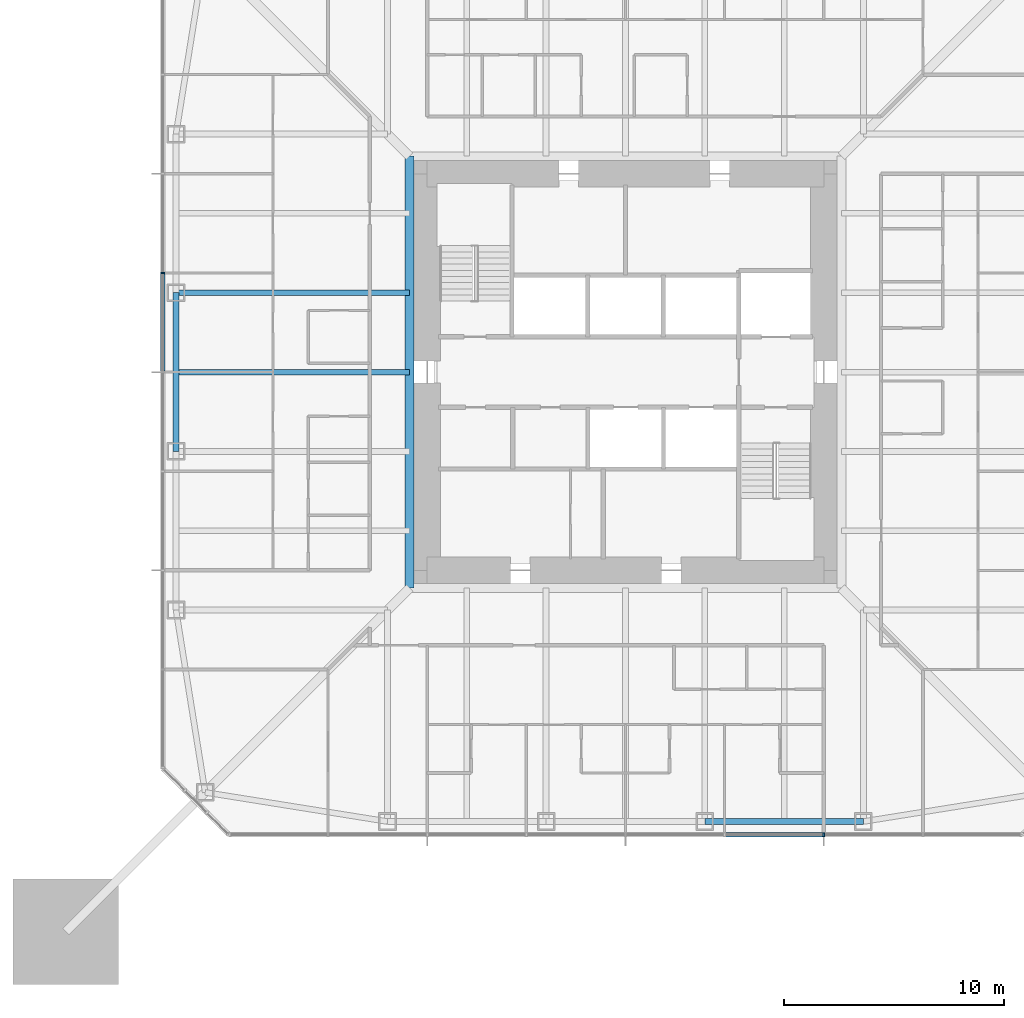
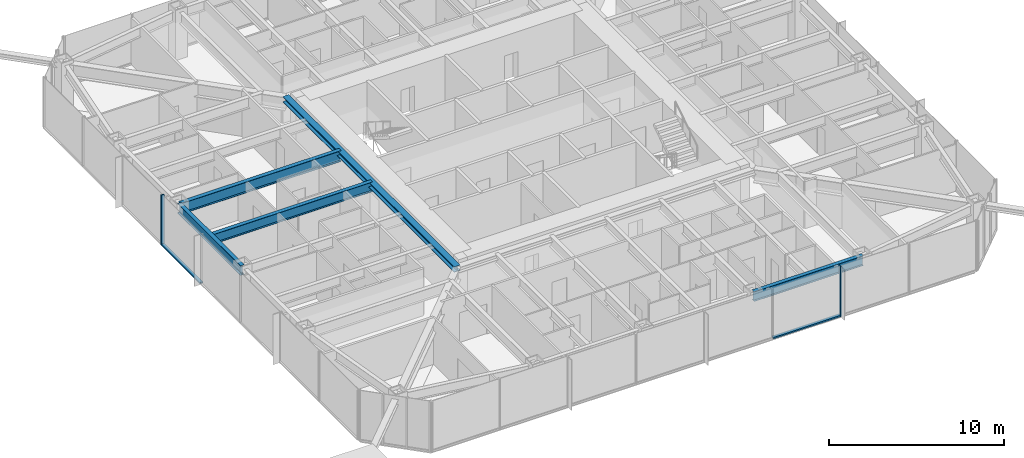
# One storey, part 4 of 25: 5 beams, 4 members, 2 elements without a shape of their own.
"""IFC4 building model written with IfcOpenShell, lengths in metres."""

from ifc_helpers import new_model, si_unit, direction, frame, origin, origin_2d, place, context, subcontext, project, spatial, rectangle, i_section, extrude, material, material_profile, profile_set, type_object, element, aggregate, save


model = new_model("IFC4")

# Units and contexts
model_context = context("Model", 3, precision=1e-05, world=origin(), true_north=direction((0.0, 1.0)))
body_context = subcontext(model_context, "Body", "Model", "MODEL_VIEW")
ifc_project = project(units=[si_unit("LENGTHUNIT", "METRE"), si_unit("AREAUNIT", "SQUARE_METRE"), si_unit("VOLUMEUNIT", "CUBIC_METRE"), si_unit("PLANEANGLEUNIT", "RADIAN"), si_unit("MASSUNIT", "GRAM", prefix="KILO")], contexts=[model_context])

# Site, building, storey
site_placement = place(None, origin())
site = spatial("IfcSite", under=ifc_project, at=site_placement, CompositionType="ELEMENT")
building_placement = place(site_placement, origin())
building = spatial("IfcBuilding", under=site, at=building_placement, Name="Iwan Alto Co-Living Towers", CompositionType="ELEMENT")
storey_placement = place(building_placement, frame((0.0, 0.0, 87.5)))
storey = spatial("IfcBuildingStorey", under=building, at=storey_placement, Name="L23", CompositionType="ELEMENT", Elevation=87.5)

# Curtain wall, member
ifc_material_1 = material(Name="Bronze aluminium unitised frame", Category="aluminium")
curtain_wall_type = type_object("IfcCurtainWallType", Name="CURTAIN WALL CW-A", PredefinedType="NOTDEFINED", material=ifc_material_1)
curtain_wall_1_placement = place(storey_placement, origin())
curtain_wall_1 = element("IfcCurtainWall", 1, at=curtain_wall_1_placement, inside=storey, type_object=curtain_wall_type, Name="T1 curtain wall S L23", PredefinedType="NOTDEFINED")
ifc_material_2 = material(Name="Aluminium 6063-T6 bronze anodised", Category="aluminium")
ifc_material_profile_1 = material_profile(ifc_material_2, rectangle(XDim=0.199951171875, YDim=0.080078125, at=origin_2d()), Name="AL 80X200")
ifc_profile_set_1 = profile_set([ifc_material_profile_1], Name="Aluminium 6063-T6 bronze anodised")
member_type_1 = type_object("IfcMemberType", Name="CW-A MULLION 80X200", PredefinedType="MULLION", material=ifc_profile_set_1)
member_1_placement = place(storey_placement, frame((9.0, -21.0, 0.0), z_axis=(0.0, 0.0, 1.0), x_axis=(0.0, 1.0, 0.0)))
member_1 = element("IfcMember", 2, at=member_1_placement, type_object=member_type_1, Name="CW-A mullion 7", PredefinedType="MULLION", context=body_context, shape_type="SweptSolid", body=[
    extrude(rectangle(XDim=0.199951171875, YDim=0.080078125, at=origin_2d()), origin(), (0.0, 0.0, 1.0), 3.5),
])

curtain_wall_2_placement = place(storey_placement, origin())
curtain_wall_2 = element("IfcCurtainWall", 3, at=curtain_wall_2_placement, inside=storey, type_object=curtain_wall_type, Name="T1 curtain wall W L23", PredefinedType="NOTDEFINED")
member_2_placement = place(storey_placement, frame((-21.0, 4.5, 0.0), z_axis=(0.0, 0.0, 1.0), x_axis=(1.0, 0.0, 0.0)))
member_2 = element("IfcMember", 4, at=member_2_placement, type_object=member_type_1, Name="CW-A mullion 4", PredefinedType="MULLION", context=body_context, shape_type="SweptSolid", body=[
    extrude(rectangle(XDim=0.199951171875, YDim=0.080078125, at=origin_2d()), origin(), (0.0, 0.0, 1.0), 3.5),
])

# Member
ifc_material_3 = material(Name="Aluminium 6063-T6 bronze anodised", Category="aluminium")
ifc_material_profile_2 = material_profile(ifc_material_3, rectangle(XDim=0.199951171875, YDim=0.10009765625, at=origin_2d()), Name="AL 200X100")
ifc_profile_set_2 = profile_set([ifc_material_profile_2], Name="Aluminium 6063-T6 bronze anodised")
member_type_2 = type_object("IfcMemberType", Name="CW-A TRANSOM 200X100", PredefinedType="USERDEFINED", material=ifc_profile_set_2)
member_3_placement = place(storey_placement, frame((4.5400390625, -21.0, 0.050048828125), z_axis=(1.0, 0.0, 0.0), x_axis=(0.0, 1.0, 0.0)))
member_3 = element("IfcMember", 5, at=member_3_placement, type_object=member_type_2, Name="CW-A transom 6.1", ObjectType="TRANSOM", PredefinedType="USERDEFINED", context=body_context, shape_type="SweptSolid", body=[
    extrude(rectangle(XDim=0.199951171875, YDim=0.10009765625, at=origin_2d()), origin(), (0.0, 0.0, 1.0), 4.419921875),
])

aggregate(curtain_wall_1, [member_1, member_3])

member_4_placement = place(storey_placement, frame((-21.0, 4.4599609375, 0.050048828125), z_axis=(0.0, -1.0, 0.0), x_axis=(1.0, 0.0, 0.0)))
member_4 = element("IfcMember", 6, at=member_4_placement, type_object=member_type_2, Name="CW-A transom 4.1", ObjectType="TRANSOM", PredefinedType="USERDEFINED", context=body_context, shape_type="SweptSolid", body=[
    extrude(rectangle(XDim=0.199951171875, YDim=0.10009765625, at=origin_2d()), origin(), (0.0, 0.0, 1.0), 4.419921875),
])

aggregate(curtain_wall_2, [member_2, member_4])

# Beams
ifc_material_4 = material(Name="Steel ASTM A992 Gr 50", Category="steel")
ifc_material_profile_3 = material_profile(ifc_material_4, i_section(OverallWidth=0.398681640625, OverallDepth=0.385986328125, WebThickness=0.02099609375, FlangeThickness=0.033203125, at=origin_2d()), Name="W14X176")
ifc_profile_set_3 = profile_set([ifc_material_profile_3], Name="Steel ASTM A992 Gr 50")
beam_type_1 = type_object("IfcBeamType", Name="T1 CORE LEDGER BEAM W14X176", PredefinedType="BEAM", material=ifc_profile_set_3)
beam_1_placement = place(storey_placement, frame((-9.79931640625, 9.79931640625, 3.076904296875), z_axis=(0.0, -1.0, 0.0), x_axis=(1.0, 0.0, 0.0)))
element("IfcBeam", 7, at=beam_1_placement, inside=storey, type_object=beam_type_1, Name="T1 core ledger beam W L24", PredefinedType="BEAM", context=body_context, shape_type="SweptSolid", body=[
    extrude(i_section(OverallWidth=0.398681640625, OverallDepth=0.385986328125, WebThickness=0.02099609375, FlangeThickness=0.033203125, at=origin_2d()), origin(), (0.0, 0.0, 1.0), 19.5986328125),
])
ifc_material_5 = material(Name="Steel ASTM A992 Gr 50", Category="steel")
ifc_material_profile_4 = material_profile(ifc_material_5, i_section(OverallWidth=0.25390625, OverallDepth=0.683349609375, WebThickness=0.012451171875, FlangeThickness=0.018798828125, at=origin_2d()), Name="W27X94")
ifc_profile_set_4 = profile_set([ifc_material_profile_4], Name="Steel ASTM A992 Gr 50")
beam_type_2 = type_object("IfcBeamType", Name="T1 EDGE BEAM W27X94", PredefinedType="BEAM", material=ifc_profile_set_4)
beam_2_placement = place(storey_placement, frame((3.60009765625, -20.39990234375, 2.928466796875), z_axis=(1.0, 0.0, 0.0), x_axis=(0.0, 1.0, 0.0)))
element("IfcBeam", 8, at=beam_2_placement, inside=storey, type_object=beam_type_2, Name="T1 edge beam S3 L24", PredefinedType="BEAM", context=body_context, shape_type="SweptSolid", body=[
    extrude(i_section(OverallWidth=0.25390625, OverallDepth=0.683349609375, WebThickness=0.012451171875, FlangeThickness=0.018798828125, at=origin_2d()), origin(), (0.0, 0.0, 1.0), 7.199951171875),
])
beam_3_placement = place(storey_placement, frame((-20.39990234375, 3.60009765625, 2.928466796875), z_axis=(0.0, -1.0, 0.0), x_axis=(1.0, 0.0, 0.0)))
element("IfcBeam", 9, at=beam_3_placement, inside=storey, type_object=beam_type_2, Name="T1 edge beam W2 L24", PredefinedType="BEAM", context=body_context, shape_type="SweptSolid", body=[
    extrude(i_section(OverallWidth=0.25390625, OverallDepth=0.683349609375, WebThickness=0.012451171875, FlangeThickness=0.018798828125, at=origin_2d()), origin(), (0.0, 0.0, 1.0), 7.2001953125),
])
ifc_material_6 = material(Name="Steel ASTM A992 Gr 50", Category="steel")
ifc_material_profile_5 = material_profile(ifc_material_6, i_section(OverallWidth=0.2666015625, OverallDepth=0.761962890625, WebThickness=0.014404296875, FlangeThickness=0.021484375, at=origin_2d()), Name="W30X116")
ifc_profile_set_5 = profile_set([ifc_material_profile_5], Name="Steel ASTM A992 Gr 50")
beam_type_3 = type_object("IfcBeamType", Name="T1 RADIAL BEAM W30X116", PredefinedType="BEAM", material=ifc_profile_set_5)
beam_4_placement = place(storey_placement, frame((-20.39990234375, 3.60009765625, 2.888916015625), z_axis=(1.0, 0.0, 0.0), x_axis=(0.0, 1.0, 0.0)))
element("IfcBeam", 10, at=beam_4_placement, inside=storey, type_object=beam_type_3, Name="T1 radial beam W2 L24", PredefinedType="BEAM", context=body_context, shape_type="SweptSolid", body=[
    extrude(i_section(OverallWidth=0.2666015625, OverallDepth=0.761962890625, WebThickness=0.014404296875, FlangeThickness=0.021484375, at=origin_2d()), origin(), (0.0, 0.0, 1.0), 10.6005859375),
])
ifc_material_7 = material(Name="Steel ASTM A992 Gr 50", Category="steel")
ifc_material_profile_6 = material_profile(ifc_material_7, i_section(OverallWidth=0.25390625, OverallDepth=0.683349609375, WebThickness=0.012451171875, FlangeThickness=0.018798828125, at=origin_2d()), Name="W27X94")
ifc_profile_set_6 = profile_set([ifc_material_profile_6], Name="Steel ASTM A992 Gr 50")
beam_type_4 = type_object("IfcBeamType", Name="T1 SECONDARY BEAM W27X94", PredefinedType="JOIST", material=ifc_profile_set_6)
beam_5_placement = place(storey_placement, frame((-20.39990234375, 0.0, 2.928466796875), z_axis=(1.0, 0.0, 0.0), x_axis=(0.0, 1.0, 0.0)))
element("IfcBeam", 11, at=beam_5_placement, inside=storey, type_object=beam_type_4, Name="T1 secondary beam W2 L24", PredefinedType="JOIST", context=body_context, shape_type="SweptSolid", body=[
    extrude(i_section(OverallWidth=0.25390625, OverallDepth=0.683349609375, WebThickness=0.012451171875, FlangeThickness=0.018798828125, at=origin_2d()), origin(), (0.0, 0.0, 1.0), 10.6005859375),
])

save(model, "model.ifc")
